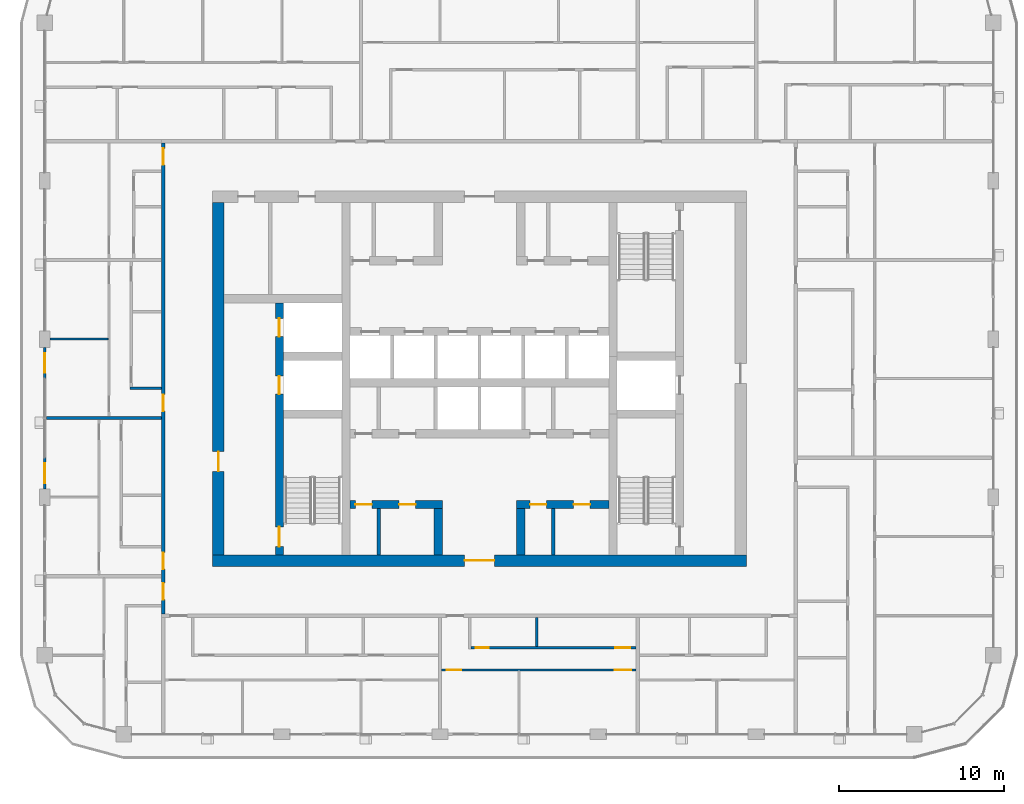
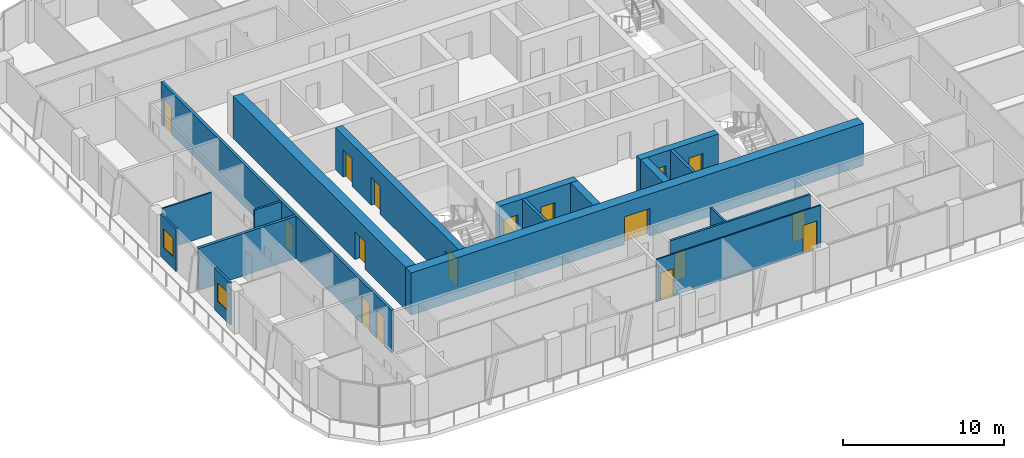
# One storey, part 10 of 23: 18 walls, 17 doors, 2 windows, 19 openings.
"""IFC4 building model written with IfcOpenShell, lengths in metres."""

from ifc_helpers import new_model, si_unit, direction, frame, frame_2d, origin, place, context, subcontext, project, spatial, rectangle, extrude, material, layer, layer_set, type_object, element, fill, save


model = new_model("IFC4")

# Units and contexts
model_context = context("Model", 3, precision=1e-05, world=origin(), true_north=direction((0.0, 1.0)))
body_context = subcontext(model_context, "Body", "Model", "MODEL_VIEW")
ifc_project = project(units=[si_unit("LENGTHUNIT", "METRE"), si_unit("AREAUNIT", "SQUARE_METRE"), si_unit("VOLUMEUNIT", "CUBIC_METRE"), si_unit("PLANEANGLEUNIT", "RADIAN"), si_unit("MASSUNIT", "GRAM", prefix="KILO")], contexts=[model_context])

# Site, building, storey
site_placement = place(None, origin())
site = spatial("IfcSite", under=ifc_project, at=site_placement, CompositionType="ELEMENT")
building_placement = place(site_placement, origin())
building = spatial("IfcBuilding", under=site, at=building_placement, Name="Madar Terraces", CompositionType="ELEMENT")
storey_placement = place(building_placement, frame((0.0, 0.0, 212.300048828125)))
storey = spatial("IfcBuildingStorey", under=building, at=storey_placement, Name="L55", CompositionType="ELEMENT", Elevation=212.300048828125)

# Wall, openings, doors
ifc_material_1 = material(Name="Concrete C60/75", Category="concrete")
ifc_layer_1 = layer(ifc_material_1, 0.5)
ifc_layer_set_1 = layer_set([ifc_layer_1], Name="Concrete C60/75 (CIW4 RC wall 500)")
wall_type_1 = type_object("IfcWallType", Name="CIW4 RC wall 500", PredefinedType="SHEAR", material=ifc_layer_set_1)
wall_1_placement = place(storey_placement, frame((19.050048828125, 15.699951171875, 0.0), z_axis=(0.0, 0.0, 1.0), x_axis=(0.0, 1.0, 0.0)))
wall_1 = element("IfcWall", 1, at=wall_1_placement, inside=storey, type_object=wall_type_1, Name="CORE SHAFT WALL", PredefinedType="SHEAR", context=body_context, shape_type="SweptSolid", body=[
    extrude(rectangle(XDim=15.300048828125, YDim=0.5, at=frame_2d((7.64990234375, 0.0))), origin(), (0.0, 0.0, 1.0), 3.199951171875),
])
opening_1_placement = place(wall_1_placement, frame((9.75, 0.0, 0.0)))
opening_1 = element("IfcOpeningElement", 2, at=opening_1_placement, cuts=wall_1, Name="Opening LD", PredefinedType="OPENING", context=body_context, shape_type="SweptSolid", body=[
    extrude(rectangle(XDim=1.10009765625, YDim=2.10009765625, at=frame_2d((0.550048828125, 1.050048828125))), frame((0.0, 0.260009765625, 0.0), z_axis=(0.0, -1.0, 0.0), x_axis=(1.0, 0.0, 0.0)), (0.0, 0.0, 1.0), 0.52001953125),
])
opening_2_placement = place(wall_1_placement, frame((13.25, 0.0, 0.0)))
opening_2 = element("IfcOpeningElement", 3, at=opening_2_placement, cuts=wall_1, Name="Opening LD", PredefinedType="OPENING", context=body_context, shape_type="SweptSolid", body=[
    extrude(rectangle(XDim=1.10009765625, YDim=2.10009765625, at=frame_2d((0.550048828125, 1.050048828125))), frame((0.0, 0.260009765625, 0.0), z_axis=(0.0, -1.0, 0.0), x_axis=(1.0, 0.0, 0.0)), (0.0, 0.0, 1.0), 0.52001953125),
])
opening_3_placement = place(wall_1_placement, frame((0.5, 0.0, 0.0)))
opening_3 = element("IfcOpeningElement", 4, at=opening_3_placement, cuts=wall_1, Name="Opening SD1", PredefinedType="OPENING", context=body_context, shape_type="SweptSolid", body=[
    extrude(rectangle(XDim=1.199951171875, YDim=2.10009765625, at=frame_2d((0.60009765625, 1.050048828125))), frame((0.0, 0.260009765625, 0.0), z_axis=(0.0, -1.0, 0.0), x_axis=(1.0, 0.0, 0.0)), (0.0, 0.0, 1.0), 0.52001953125),
])
ifc_material_2 = material(Name="Stainless steel panel", Category="steel")
door_type_1 = type_object("IfcDoorType", Name="Lift landing door 1100 x 2100", OperationType="DOUBLE_DOOR_SLIDING", PredefinedType="DOOR", material=ifc_material_2)
door_1_placement = place(opening_1_placement, origin())
door_1 = element("IfcDoor", 5, at=door_1_placement, inside=storey, type_object=door_type_1, Name="LIFT LANDING DOOR", OperationType="DOUBLE_DOOR_SLIDING", OverallHeight=2.10009765625, OverallWidth=1.10009765625, PredefinedType="DOOR", context=body_context, shape_type="SweptSolid", body=[
    extrude(rectangle(XDim=1.10009765625, YDim=2.10009765625, at=frame_2d((0.550048828125, 1.050048828125))), frame((0.0, 0.02490234375, 0.0), z_axis=(0.0, -1.0, 0.0), x_axis=(1.0, 0.0, 0.0)), (0.0, 0.0, 1.0), 0.050048828125),
])
fill(opening_1, door_1)
door_2_placement = place(opening_2_placement, origin())
door_2 = element("IfcDoor", 6, at=door_2_placement, inside=storey, type_object=door_type_1, Name="LIFT LANDING DOOR", OperationType="DOUBLE_DOOR_SLIDING", OverallHeight=2.10009765625, OverallWidth=1.10009765625, PredefinedType="DOOR", context=body_context, shape_type="SweptSolid", body=[
    extrude(rectangle(XDim=1.10009765625, YDim=2.10009765625, at=frame_2d((0.550048828125, 1.050048828125))), frame((0.0, 0.02490234375, 0.0), z_axis=(0.0, -1.0, 0.0), x_axis=(1.0, 0.0, 0.0)), (0.0, 0.0, 1.0), 0.050048828125),
])
fill(opening_2, door_2)
ifc_material_3 = material(Name="Steel door leaf", Category="steel")
door_type_2 = type_object("IfcDoorType", Name="Stair door 1200 x 2100", OperationType="NOTDEFINED", PredefinedType="DOOR", material=ifc_material_3)
door_3_placement = place(opening_3_placement, frame((1.199951171875, 0.0, 0.0), z_axis=(0.0, 0.0, 1.0), x_axis=(-1.0, 0.0, 0.0)))
door_3 = element("IfcDoor", 7, at=door_3_placement, inside=storey, type_object=door_type_2, Name="STAIR DOOR", OperationType="SINGLE_SWING_LEFT", OverallHeight=2.10009765625, OverallWidth=1.199951171875, PredefinedType="DOOR", context=body_context, shape_type="SweptSolid", body=[
    extrude(rectangle(XDim=1.199951171875, YDim=2.10009765625, at=frame_2d((0.60009765625, 1.050048828125))), frame((0.0, 0.02490234375, 0.0), z_axis=(0.0, -1.0, 0.0), x_axis=(1.0, 0.0, 0.0)), (0.0, 0.0, 1.0), 0.050048828125),
])
fill(opening_3, door_3)

wall_2_placement = place(storey_placement, frame((23.35009765625, 18.75, 0.0), z_axis=(0.0, 0.0, 1.0), x_axis=(1.0, 0.0, 0.0)))
wall_2 = element("IfcWall", 8, at=wall_2_placement, inside=storey, type_object=wall_type_1, Name="CORE SHAFT WALL", PredefinedType="SHEAR", context=body_context, shape_type="SweptSolid", body=[
    extrude(rectangle(XDim=5.599853515625, YDim=0.5, at=frame_2d((2.7998046875, 0.0))), origin(), (0.0, 0.0, 1.0), 3.199951171875),
])
opening_4_placement = place(wall_2_placement, frame((0.31689453125, 0.0, 0.0)))
opening_4 = element("IfcOpeningElement", 9, at=opening_4_placement, cuts=wall_2, Name="Opening KD2", PredefinedType="OPENING", context=body_context, shape_type="SweptSolid", body=[
    extrude(rectangle(XDim=1.0, YDim=2.10009765625, at=frame_2d((0.5, 1.050048828125))), frame((0.0, 0.260009765625, 0.0), z_axis=(0.0, -1.0, 0.0), x_axis=(1.0, 0.0, 0.0)), (0.0, 0.0, 1.0), 0.52001953125),
])
opening_5_placement = place(wall_2_placement, frame((2.967041015625, 0.0, 0.0)))
opening_5 = element("IfcOpeningElement", 10, at=opening_5_placement, cuts=wall_2, Name="Opening KD2", PredefinedType="OPENING", context=body_context, shape_type="SweptSolid", body=[
    extrude(rectangle(XDim=1.0, YDim=2.10009765625, at=frame_2d((0.5, 1.050048828125))), frame((0.0, 0.260009765625, 0.0), z_axis=(0.0, -1.0, 0.0), x_axis=(1.0, 0.0, 0.0)), (0.0, 0.0, 1.0), 0.52001953125),
])
ifc_material_4 = material(Name="Steel door leaf", Category="steel")
door_type_3 = type_object("IfcDoorType", Name="Service room door 1000 x 2100", OperationType="NOTDEFINED", PredefinedType="DOOR", material=ifc_material_4)
door_4_placement = place(opening_4_placement, origin())
door_4 = element("IfcDoor", 11, at=door_4_placement, inside=storey, type_object=door_type_3, Name="SERVICE ROOM DOOR", OperationType="SINGLE_SWING_RIGHT", OverallHeight=2.10009765625, OverallWidth=1.0, PredefinedType="DOOR", context=body_context, shape_type="SweptSolid", body=[
    extrude(rectangle(XDim=1.0, YDim=2.10009765625, at=frame_2d((0.5, 1.050048828125))), frame((0.0, 0.02490234375, 0.0), z_axis=(0.0, -1.0, 0.0), x_axis=(1.0, 0.0, 0.0)), (0.0, 0.0, 1.0), 0.050048828125),
])
fill(opening_4, door_4)
door_5_placement = place(opening_5_placement, origin())
door_5 = element("IfcDoor", 12, at=door_5_placement, inside=storey, type_object=door_type_3, Name="SERVICE ROOM DOOR", OperationType="SINGLE_SWING_LEFT", OverallHeight=2.10009765625, OverallWidth=1.0, PredefinedType="DOOR", context=body_context, shape_type="SweptSolid", body=[
    extrude(rectangle(XDim=1.0, YDim=2.10009765625, at=frame_2d((0.5, 1.050048828125))), frame((0.0, 0.02490234375, 0.0), z_axis=(0.0, -1.0, 0.0), x_axis=(1.0, 0.0, 0.0)), (0.0, 0.0, 1.0), 0.050048828125),
])
fill(opening_5, door_5)

wall_3_placement = place(storey_placement, frame((33.449951171875, 18.75, 0.0), z_axis=(0.0, 0.0, 1.0), x_axis=(1.0, 0.0, 0.0)))
wall_3 = element("IfcWall", 13, at=wall_3_placement, inside=storey, type_object=wall_type_1, Name="CORE SHAFT WALL", PredefinedType="SHEAR", context=body_context, shape_type="SweptSolid", body=[
    extrude(rectangle(XDim=5.60009765625, YDim=0.5, at=frame_2d((2.800048828125, 0.0))), origin(), (0.0, 0.0, 1.0), 3.199951171875),
])
opening_6_placement = place(wall_3_placement, frame((0.81689453125, 0.0, 0.0)))
opening_6 = element("IfcOpeningElement", 14, at=opening_6_placement, cuts=wall_3, Name="Opening KD2", PredefinedType="OPENING", context=body_context, shape_type="SweptSolid", body=[
    extrude(rectangle(XDim=1.0, YDim=2.10009765625, at=frame_2d((0.5, 1.050048828125))), frame((0.0, 0.260009765625, 0.0), z_axis=(0.0, -1.0, 0.0), x_axis=(1.0, 0.0, 0.0)), (0.0, 0.0, 1.0), 0.52001953125),
])
opening_7_placement = place(wall_3_placement, frame((3.467041015625, 0.0, 0.0)))
opening_7 = element("IfcOpeningElement", 15, at=opening_7_placement, cuts=wall_3, Name="Opening KD2", PredefinedType="OPENING", context=body_context, shape_type="SweptSolid", body=[
    extrude(rectangle(XDim=1.0, YDim=2.10009765625, at=frame_2d((0.5, 1.050048828125))), frame((0.0, 0.260009765625, 0.0), z_axis=(0.0, -1.0, 0.0), x_axis=(1.0, 0.0, 0.0)), (0.0, 0.0, 1.0), 0.52001953125),
])
door_6_placement = place(opening_6_placement, origin())
door_6 = element("IfcDoor", 16, at=door_6_placement, inside=storey, type_object=door_type_3, Name="SERVICE ROOM DOOR", OperationType="SINGLE_SWING_RIGHT", OverallHeight=2.10009765625, OverallWidth=1.0, PredefinedType="DOOR", context=body_context, shape_type="SweptSolid", body=[
    extrude(rectangle(XDim=1.0, YDim=2.10009765625, at=frame_2d((0.5, 1.050048828125))), frame((0.0, 0.02490234375, 0.0), z_axis=(0.0, -1.0, 0.0), x_axis=(1.0, 0.0, 0.0)), (0.0, 0.0, 1.0), 0.050048828125),
])
fill(opening_6, door_6)
door_7_placement = place(opening_7_placement, origin())
door_7 = element("IfcDoor", 17, at=door_7_placement, inside=storey, type_object=door_type_3, Name="SERVICE ROOM DOOR", OperationType="SINGLE_SWING_LEFT", OverallHeight=2.10009765625, OverallWidth=1.0, PredefinedType="DOOR", context=body_context, shape_type="SweptSolid", body=[
    extrude(rectangle(XDim=1.0, YDim=2.10009765625, at=frame_2d((0.5, 1.050048828125))), frame((0.0, 0.02490234375, 0.0), z_axis=(0.0, -1.0, 0.0), x_axis=(1.0, 0.0, 0.0)), (0.0, 0.0, 1.0), 0.050048828125),
])
fill(opening_7, door_7)

# Walls
for number, where, z_axis, x_axis, name in (
    (18, (28.699951171875, 15.699951171875, 0.0), (0.0, 0.0, 1.0), (0.0, 1.0, 0.0), "CORE SHAFT WALL"),
    (19, (33.699951171875, 15.699951171875, 0.0), (0.0, 0.0, 1.0), (0.0, 1.0, 0.0), "CORE SHAFT WALL"),
):
    element("IfcWall", number, at=place(storey_placement, frame(where, z_axis=z_axis, x_axis=x_axis)), inside=storey, type_object=wall_type_1, Name=name, PredefinedType="SHEAR", context=body_context, shape_type="SweptSolid", body=[
        extrude(rectangle(XDim=2.800048828125, YDim=0.5, at=frame_2d((1.39990234375, 0.0))), origin(), (0.0, 0.0, 1.0), 3.199951171875),
    ])

# Wall, opening, door
ifc_material_5 = material(Name="Concrete C60/75", Category="concrete")
ifc_layer_2 = layer(ifc_material_5, 0.699951171875)
ifc_layer_set_2 = layer_set([ifc_layer_2], Name="Concrete C60/75 (CRW4 RC wall 700)")
wall_type_2 = type_object("IfcWallType", Name="CRW4 RC wall 700", PredefinedType="SHEAR", material=ifc_layer_set_2)
wall_4_placement = place(storey_placement, frame((15.0, 15.35009765625, 0.0), z_axis=(0.0, 0.0, 1.0), x_axis=(1.0, 0.0, 0.0)))
wall_4 = element("IfcWall", 20, at=wall_4_placement, inside=storey, type_object=wall_type_2, Name="CORE OUTER WALL", PredefinedType="SHEAR", context=body_context, shape_type="SweptSolid", body=[
    extrude(rectangle(XDim=32.39990234375, YDim=0.699951171875, at=frame_2d((16.199951171875, 0.0))), origin(), (0.0, 0.0, 1.0), 3.199951171875),
])
opening_8_placement = place(wall_4_placement, frame((15.300048828125, 0.0, 0.0)))
opening_8 = element("IfcOpeningElement", 21, at=opening_8_placement, cuts=wall_4, Name="Opening KD1", PredefinedType="OPENING", context=body_context, shape_type="SweptSolid", body=[
    extrude(rectangle(XDim=1.800048828125, YDim=2.10009765625, at=frame_2d((0.89990234375, 1.050048828125))), frame((0.0, 0.35986328125, 0.0), z_axis=(0.0, -1.0, 0.0), x_axis=(1.0, 0.0, 0.0)), (0.0, 0.0, 1.0), 0.719970703125),
])
ifc_material_6 = material(Name="Steel door leaf", Category="steel")
door_type_4 = type_object("IfcDoorType", Name="Lobby door pair 1800 x 2100", OperationType="DOUBLE_DOOR_SINGLE_SWING", PredefinedType="DOOR", material=ifc_material_6)
door_8_placement = place(opening_8_placement, frame((1.800048828125, 0.0, 0.0), z_axis=(0.0, 0.0, 1.0), x_axis=(-1.0, 0.0, 0.0)))
door_8 = element("IfcDoor", 22, at=door_8_placement, inside=storey, type_object=door_type_4, Name="LIFT LOBBY DOOR", OperationType="DOUBLE_DOOR_SINGLE_SWING", OverallHeight=2.10009765625, OverallWidth=1.800048828125, PredefinedType="DOOR", context=body_context, shape_type="SweptSolid", body=[
    extrude(rectangle(XDim=1.800048828125, YDim=2.10009765625, at=frame_2d((0.89990234375, 1.050048828125))), frame((0.0, 0.02490234375, 0.0), z_axis=(0.0, -1.0, 0.0), x_axis=(1.0, 0.0, 0.0)), (0.0, 0.0, 1.0), 0.050048828125),
])
fill(opening_8, door_8)

wall_5_placement = place(storey_placement, frame((15.35009765625, 15.699951171875, 0.0), z_axis=(0.0, 0.0, 1.0), x_axis=(0.0, 1.0, 0.0)))
wall_5 = element("IfcWall", 23, at=wall_5_placement, inside=storey, type_object=wall_type_2, Name="CORE OUTER WALL", PredefinedType="SHEAR", context=body_context, shape_type="SweptSolid", body=[
    extrude(rectangle(XDim=21.400146484375, YDim=0.699951171875, at=frame_2d((10.7001953125, 0.0))), origin(), (0.0, 0.0, 1.0), 3.199951171875),
])
opening_9_placement = place(wall_5_placement, frame((5.06005859375, 0.0, 0.0)))
opening_9 = element("IfcOpeningElement", 24, at=opening_9_placement, cuts=wall_5, Name="Opening SD1", PredefinedType="OPENING", context=body_context, shape_type="SweptSolid", body=[
    extrude(rectangle(XDim=1.199951171875, YDim=2.10009765625, at=frame_2d((0.60009765625, 1.050048828125))), frame((0.0, 0.35986328125, 0.0), z_axis=(0.0, -1.0, 0.0), x_axis=(1.0, 0.0, 0.0)), (0.0, 0.0, 1.0), 0.719970703125),
])
door_9_placement = place(opening_9_placement, frame((1.199951171875, 0.0, 0.0), z_axis=(0.0, 0.0, 1.0), x_axis=(-1.0, 0.0, 0.0)))
door_9 = element("IfcDoor", 25, at=door_9_placement, inside=storey, type_object=door_type_2, Name="STAIR DOOR", OperationType="SINGLE_SWING_RIGHT", OverallHeight=2.10009765625, OverallWidth=1.199951171875, PredefinedType="DOOR", context=body_context, shape_type="SweptSolid", body=[
    extrude(rectangle(XDim=1.199951171875, YDim=2.10009765625, at=frame_2d((0.60009765625, 1.050048828125))), frame((0.0, 0.02490234375, 0.0), z_axis=(0.0, -1.0, 0.0), x_axis=(1.0, 0.0, 0.0)), (0.0, 0.0, 1.0), 0.050048828125),
])
fill(opening_9, door_9)

# Walls
ifc_material_7 = material(Name="Masonry blockwork", Category="masonry")
ifc_layer_3 = layer(ifc_material_7, 0.199951171875)
ifc_layer_set_3 = layer_set([ifc_layer_3], Name="Core partition 200 blockwork")
wall_type_3 = type_object("IfcWallType", Name="Core partition 200 blockwork", PredefinedType="PARTITIONING", material=ifc_layer_set_3)
for number, where, z_axis, x_axis, name in (
    (26, (25.083984375, 15.699951171875, 0.0), (0.0, 0.0, 1.0), (0.0, 1.0, 0.0), "SERVICE ROOM PARTITION"),
    (27, (35.68408203125, 15.699951171875, 0.0), (0.0, 0.0, 1.0), (0.0, 1.0, 0.0), "SERVICE ROOM PARTITION"),
):
    element("IfcWall", number, at=place(storey_placement, frame(where, z_axis=z_axis, x_axis=x_axis)), inside=storey, type_object=wall_type_3, Name=name, PredefinedType="PARTITIONING", context=body_context, shape_type="SweptSolid", body=[
        extrude(rectangle(XDim=2.800048828125, YDim=0.199951171875, at=frame_2d((1.39990234375, 0.0))), origin(), (0.0, 0.0, 1.0), 3.199951171875),
    ])

# Wall, opening, window
ifc_material_8 = material(Name="Aluminium composite panel, black, over insulated backing", Category="aluminium")
ifc_layer_4 = layer(ifc_material_8, 0.14990234375)
ifc_layer_set_4 = layer_set([ifc_layer_4], Name="Facade bay panel 150")
wall_type_4 = type_object("IfcWallType", Name="Facade bay panel 150", PredefinedType="SOLIDWALL", material=ifc_layer_set_4)
wall_6_placement = place(storey_placement, frame((4.800048828125, 28.300048828125, 0.0), z_axis=(0.0, 0.0, 1.0), x_axis=(0.0, -1.0, 0.0)))
wall_6 = element("IfcWall", 28, at=wall_6_placement, inside=storey, type_object=wall_type_4, Name="Facade bay panel", PredefinedType="SOLIDWALL", context=body_context, shape_type="SweptSolid", body=[
    extrude(rectangle(XDim=1.900146484375, YDim=0.14990234375, at=frame_2d((0.9501953125, 0.0))), origin(), (0.0, 0.0, 1.0), 3.199951171875),
])
opening_10_placement = place(wall_6_placement, frame((0.35009765625, 0.0, 0.89990234375)))
opening_10 = element("IfcOpeningElement", 29, at=opening_10_placement, cuts=wall_6, Name="Opening W1", PredefinedType="OPENING", context=body_context, shape_type="SweptSolid", body=[
    extrude(rectangle(XDim=1.199951171875, YDim=1.39990234375, at=frame_2d((0.60009765625, 0.699951171875))), frame((0.0, 0.0849609375, 0.0), z_axis=(0.0, -1.0, 0.0), x_axis=(1.0, 0.0, 0.0)), (0.0, 0.0, 1.0), 0.169921875),
])
ifc_material_9 = material(Name="Glass, clear, with black aluminium frame", Category="aluminium")
window_type = type_object("IfcWindowType", Name="Vent window 1200 x 1400", PartitioningType="SINGLE_PANEL", PredefinedType="WINDOW", material=ifc_material_9)
window_1_placement = place(opening_10_placement, origin())
window_1 = element("IfcWindow", 30, at=window_1_placement, inside=storey, type_object=window_type, Name="Operable vent window", OverallHeight=1.39990234375, OverallWidth=1.199951171875, PartitioningType="SINGLE_PANEL", PredefinedType="WINDOW", context=body_context, shape_type="SweptSolid", body=[
    extrude(rectangle(XDim=1.199951171875, YDim=1.39990234375, at=frame_2d((0.60009765625, 0.699951171875))), frame((0.0, 0.030029296875, 0.0), z_axis=(0.0, -1.0, 0.0), x_axis=(1.0, 0.0, 0.0)), (0.0, 0.0, 1.0), 0.06005859375),
])
fill(opening_10, window_1)

wall_7_placement = place(storey_placement, frame((4.800048828125, 21.60009765625, 0.0), z_axis=(0.0, 0.0, 1.0), x_axis=(0.0, -1.0, 0.0)))
wall_7 = element("IfcWall", 31, at=wall_7_placement, inside=storey, type_object=wall_type_4, Name="Facade bay panel", PredefinedType="SOLIDWALL", context=body_context, shape_type="SweptSolid", body=[
    extrude(rectangle(XDim=1.900146484375, YDim=0.14990234375, at=frame_2d((0.9501953125, 0.0))), origin(), (0.0, 0.0, 1.0), 3.199951171875),
])
opening_11_placement = place(wall_7_placement, frame((0.35009765625, 0.0, 0.89990234375)))
opening_11 = element("IfcOpeningElement", 32, at=opening_11_placement, cuts=wall_7, Name="Opening W1", PredefinedType="OPENING", context=body_context, shape_type="SweptSolid", body=[
    extrude(rectangle(XDim=1.199951171875, YDim=1.39990234375, at=frame_2d((0.60009765625, 0.699951171875))), frame((0.0, 0.0849609375, 0.0), z_axis=(0.0, -1.0, 0.0), x_axis=(1.0, 0.0, 0.0)), (0.0, 0.0, 1.0), 0.169921875),
])
window_2_placement = place(opening_11_placement, origin())
window_2 = element("IfcWindow", 33, at=window_2_placement, inside=storey, type_object=window_type, Name="Operable vent window", OverallHeight=1.39990234375, OverallWidth=1.199951171875, PartitioningType="SINGLE_PANEL", PredefinedType="WINDOW", context=body_context, shape_type="SweptSolid", body=[
    extrude(rectangle(XDim=1.199951171875, YDim=1.39990234375, at=frame_2d((0.60009765625, 0.699951171875))), frame((0.0, 0.030029296875, 0.0), z_axis=(0.0, -1.0, 0.0), x_axis=(1.0, 0.0, 0.0)), (0.0, 0.0, 1.0), 0.06005859375),
])
fill(opening_11, window_2)

# Wall, openings, doors
ifc_material_10 = material(Name="Gypsum board on steel studs", Category="steel")
ifc_layer_5 = layer(ifc_material_10, 0.10009765625)
ifc_layer_set_5 = layer_set([ifc_layer_5], Name="Flat partition 100")
wall_type_5 = type_object("IfcWallType", Name="Flat partition 100", PredefinedType="PARTITIONING", material=ifc_layer_set_5)
wall_8_placement = place(storey_placement, frame((40.699951171875, 8.699951171875, 0.0), z_axis=(0.0, 0.0, 1.0), x_axis=(-1.0, 0.0, 0.0)))
wall_8 = element("IfcWall", 34, at=wall_8_placement, inside=storey, type_object=wall_type_5, Name="Flat partition 100", PredefinedType="PARTITIONING", context=body_context, shape_type="SweptSolid", body=[
    extrude(rectangle(XDim=11.800048828125, YDim=0.10009765625, at=frame_2d((5.89990234375, 0.0))), origin(), (0.0, 0.0, 1.0), 3.199951171875),
])
opening_12_placement = place(wall_8_placement, frame((10.60009765625, 0.0, 0.0)))
opening_12 = element("IfcOpeningElement", 35, at=opening_12_placement, cuts=wall_8, Name="Opening D2", PredefinedType="OPENING", context=body_context, shape_type="SweptSolid", body=[
    extrude(rectangle(XDim=0.89990234375, YDim=2.10009765625, at=frame_2d((0.449951171875, 1.050048828125))), frame((0.0, 0.06005859375, 0.0), z_axis=(0.0, -1.0, 0.0), x_axis=(1.0, 0.0, 0.0)), (0.0, 0.0, 1.0), 0.1201171875),
])
opening_13_placement = place(wall_8_placement, frame((0.300048828125, 0.0, 0.0)))
opening_13 = element("IfcOpeningElement", 36, at=opening_13_placement, cuts=wall_8, Name="Opening D3", PredefinedType="OPENING", context=body_context, shape_type="SweptSolid", body=[
    extrude(rectangle(XDim=1.0, YDim=2.10009765625, at=frame_2d((0.5, 1.050048828125))), frame((0.0, 0.06005859375, 0.0), z_axis=(0.0, -1.0, 0.0), x_axis=(1.0, 0.0, 0.0)), (0.0, 0.0, 1.0), 0.1201171875),
])
ifc_material_11 = material(Name="Timber door leaf", Category="wood")
door_type_5 = type_object("IfcDoorType", Name="Flat living room door 1000", OperationType="NOTDEFINED", PredefinedType="DOOR", material=ifc_material_11)
door_10_placement = place(opening_13_placement, origin())
door_10 = element("IfcDoor", 37, at=door_10_placement, inside=storey, type_object=door_type_5, Name="Flat living room door 1000", OperationType="SINGLE_SWING_LEFT", OverallHeight=2.10009765625, OverallWidth=1.0, PredefinedType="DOOR", context=body_context, shape_type="SweptSolid", body=[
    extrude(rectangle(XDim=1.0, YDim=2.10009765625, at=frame_2d((0.5, 1.050048828125))), frame((0.0, 0.02490234375, 0.0), z_axis=(0.0, -1.0, 0.0), x_axis=(1.0, 0.0, 0.0)), (0.0, 0.0, 1.0), 0.050048828125),
])
fill(opening_13, door_10)
ifc_material_12 = material(Name="Timber door leaf", Category="wood")
door_type_6 = type_object("IfcDoorType", Name="Flat room door 900", OperationType="NOTDEFINED", PredefinedType="DOOR", material=ifc_material_12)
door_11_placement = place(opening_12_placement, origin())
door_11 = element("IfcDoor", 38, at=door_11_placement, inside=storey, type_object=door_type_6, Name="Flat room door 900", OperationType="SINGLE_SWING_RIGHT", OverallHeight=2.10009765625, OverallWidth=0.89990234375, PredefinedType="DOOR", context=body_context, shape_type="SweptSolid", body=[
    extrude(rectangle(XDim=0.89990234375, YDim=2.10009765625, at=frame_2d((0.449951171875, 1.050048828125))), frame((0.0, 0.02490234375, 0.0), z_axis=(0.0, -1.0, 0.0), x_axis=(1.0, 0.0, 0.0)), (0.0, 0.0, 1.0), 0.050048828125),
])
fill(opening_12, door_11)

# Wall
wall_9_placement = place(storey_placement, frame((8.64990234375, 28.800048828125, 0.0), z_axis=(0.0, 0.0, 1.0), x_axis=(-1.0, 0.0, 0.0)))
element("IfcWall", 39, at=wall_9_placement, inside=storey, type_object=wall_type_5, Name="Flat partition 100", PredefinedType="PARTITIONING", context=body_context, shape_type="SweptSolid", body=[
    extrude(rectangle(XDim=3.52490234375, YDim=0.10009765625, at=frame_2d((1.762451171875, 0.0))), origin(), (0.0, 0.0, 1.0), 3.199951171875),
])

# Wall, openings, doors
ifc_material_13 = material(Name="Lightweight blockwork", Category="masonry")
ifc_layer_6 = layer(ifc_material_13, 0.199951171875)
ifc_layer_set_6 = layer_set([ifc_layer_6], Name="Flat party and entrance wall 200")
wall_type_6 = type_object("IfcWallType", Name="Flat party and entrance wall 200", PredefinedType="PARTITIONING", material=ifc_layer_set_6)
wall_10_placement = place(storey_placement, frame((12.0, 12.10009765625, 0.0), z_axis=(0.0, 0.0, 1.0), x_axis=(0.0, 1.0, 0.0)))
wall_10 = element("IfcWall", 40, at=wall_10_placement, inside=storey, type_object=wall_type_6, Name="Flat party and entrance wall 200", PredefinedType="PARTITIONING", context=body_context, shape_type="SweptSolid", body=[
    extrude(rectangle(XDim=28.599853515625, YDim=0.199951171875, at=frame_2d((14.2998046875, 0.0))), origin(), (0.0, 0.0, 1.0), 3.199951171875),
])
opening_14_placement = place(wall_10_placement, frame((27.27490234375, 0.0, 0.0)))
opening_14 = element("IfcOpeningElement", 41, at=opening_14_placement, cuts=wall_10, Name="Opening D1", PredefinedType="OPENING", context=body_context, shape_type="SweptSolid", body=[
    extrude(rectangle(XDim=1.0, YDim=2.10009765625, at=frame_2d((0.5, 1.050048828125))), frame((0.0, 0.10986328125, 0.0), z_axis=(0.0, -1.0, 0.0), x_axis=(1.0, 0.0, 0.0)), (0.0, 0.0, 1.0), 0.219970703125),
])
opening_15_placement = place(wall_10_placement, frame((12.324951171875, 0.0, 0.0)))
opening_15 = element("IfcOpeningElement", 42, at=opening_15_placement, cuts=wall_10, Name="Opening D1", PredefinedType="OPENING", context=body_context, shape_type="SweptSolid", body=[
    extrude(rectangle(XDim=1.0, YDim=2.10009765625, at=frame_2d((0.5, 1.050048828125))), frame((0.0, 0.10986328125, 0.0), z_axis=(0.0, -1.0, 0.0), x_axis=(1.0, 0.0, 0.0)), (0.0, 0.0, 1.0), 0.219970703125),
])
opening_16_placement = place(wall_10_placement, frame((2.72509765625, 0.0, 0.0)))
opening_16 = element("IfcOpeningElement", 43, at=opening_16_placement, cuts=wall_10, Name="Opening D1", PredefinedType="OPENING", context=body_context, shape_type="SweptSolid", body=[
    extrude(rectangle(XDim=1.0, YDim=2.10009765625, at=frame_2d((0.5, 1.050048828125))), frame((0.0, 0.10986328125, 0.0), z_axis=(0.0, -1.0, 0.0), x_axis=(1.0, 0.0, 0.0)), (0.0, 0.0, 1.0), 0.219970703125),
])
opening_17_placement = place(wall_10_placement, frame((0.875, 0.0, 0.0)))
opening_17 = element("IfcOpeningElement", 44, at=opening_17_placement, cuts=wall_10, Name="Opening D1", PredefinedType="OPENING", context=body_context, shape_type="SweptSolid", body=[
    extrude(rectangle(XDim=1.0, YDim=2.10009765625, at=frame_2d((0.5, 1.050048828125))), frame((0.0, 0.10986328125, 0.0), z_axis=(0.0, -1.0, 0.0), x_axis=(1.0, 0.0, 0.0)), (0.0, 0.0, 1.0), 0.219970703125),
])
ifc_material_14 = material(Name="Timber fire door leaf", Category="wood")
door_type_7 = type_object("IfcDoorType", Name="Flat entrance door 1000 FD30S", OperationType="NOTDEFINED", PredefinedType="DOOR", material=ifc_material_14)
door_12_placement = place(opening_14_placement, origin())
door_12 = element("IfcDoor", 45, at=door_12_placement, inside=storey, type_object=door_type_7, Name="Flat entrance door 1000 FD30S", OperationType="SINGLE_SWING_RIGHT", OverallHeight=2.10009765625, OverallWidth=1.0, PredefinedType="DOOR", context=body_context, shape_type="SweptSolid", body=[
    extrude(rectangle(XDim=1.0, YDim=2.10009765625, at=frame_2d((0.5, 1.050048828125))), frame((0.0, 0.02490234375, 0.0), z_axis=(0.0, -1.0, 0.0), x_axis=(1.0, 0.0, 0.0)), (0.0, 0.0, 1.0), 0.050048828125),
])
fill(opening_14, door_12)
door_13_placement = place(opening_15_placement, origin())
door_13 = element("IfcDoor", 46, at=door_13_placement, inside=storey, type_object=door_type_7, Name="Flat entrance door 1000 FD30S", OperationType="SINGLE_SWING_LEFT", OverallHeight=2.10009765625, OverallWidth=1.0, PredefinedType="DOOR", context=body_context, shape_type="SweptSolid", body=[
    extrude(rectangle(XDim=1.0, YDim=2.10009765625, at=frame_2d((0.5, 1.050048828125))), frame((0.0, 0.02490234375, 0.0), z_axis=(0.0, -1.0, 0.0), x_axis=(1.0, 0.0, 0.0)), (0.0, 0.0, 1.0), 0.050048828125),
])
fill(opening_15, door_13)
door_14_placement = place(opening_16_placement, origin())
door_14 = element("IfcDoor", 47, at=door_14_placement, inside=storey, type_object=door_type_7, Name="Flat entrance door 1000 FD30S", OperationType="SINGLE_SWING_LEFT", OverallHeight=2.10009765625, OverallWidth=1.0, PredefinedType="DOOR", context=body_context, shape_type="SweptSolid", body=[
    extrude(rectangle(XDim=1.0, YDim=2.10009765625, at=frame_2d((0.5, 1.050048828125))), frame((0.0, 0.02490234375, 0.0), z_axis=(0.0, -1.0, 0.0), x_axis=(1.0, 0.0, 0.0)), (0.0, 0.0, 1.0), 0.050048828125),
])
fill(opening_16, door_14)
door_15_placement = place(opening_17_placement, origin())
door_15 = element("IfcDoor", 48, at=door_15_placement, inside=storey, type_object=door_type_7, Name="Flat entrance door 1000 FD30S", OperationType="SINGLE_SWING_RIGHT", OverallHeight=2.10009765625, OverallWidth=1.0, PredefinedType="DOOR", context=body_context, shape_type="SweptSolid", body=[
    extrude(rectangle(XDim=1.0, YDim=2.10009765625, at=frame_2d((0.5, 1.050048828125))), frame((0.0, 0.02490234375, 0.0), z_axis=(0.0, -1.0, 0.0), x_axis=(1.0, 0.0, 0.0)), (0.0, 0.0, 1.0), 0.050048828125),
])
fill(opening_17, door_15)

# Walls
wall_11_placement = place(storey_placement, frame((4.89990234375, 24.0, 0.0), z_axis=(0.0, 0.0, 1.0), x_axis=(1.0, 0.0, 0.0)))
element("IfcWall", 49, at=wall_11_placement, inside=storey, type_object=wall_type_6, Name="Flat party and entrance wall 200", PredefinedType="PARTITIONING", context=body_context, shape_type="SweptSolid", body=[
    extrude(rectangle(XDim=7.0, YDim=0.199951171875, at=frame_2d((3.5, 0.0))), origin(), (0.0, 0.0, 1.0), 3.199951171875),
])
ifc_material_15 = material(Name="Lightweight blockwork", Category="masonry")
ifc_layer_7 = layer(ifc_material_15, 0.14990234375)
ifc_layer_set_7 = layer_set([ifc_layer_7], Name="Flat wet-room partition 150")
wall_type_7 = type_object("IfcWallType", Name="Flat wet-room partition 150", PredefinedType="PARTITIONING", material=ifc_layer_set_7)
wall_12_placement = place(storey_placement, frame((34.68505859375, 11.89990234375, 0.0), z_axis=(0.0, 0.0, 1.0), x_axis=(0.0, -1.0, 0.0)))
element("IfcWall", 50, at=wall_12_placement, inside=storey, type_object=wall_type_7, Name="Flat wet-room partition 150", PredefinedType="PARTITIONING", context=body_context, shape_type="SweptSolid", body=[
    extrude(rectangle(XDim=1.77490234375, YDim=0.14990234375, at=frame_2d((0.887451171875, 0.0))), origin(), (0.0, 0.0, 1.0), 3.199951171875),
])

# Wall, openings, doors
wall_13_placement = place(storey_placement, frame((30.675048828125, 10.050048828125, 0.0), z_axis=(0.0, 0.0, 1.0), x_axis=(1.0, 0.0, 0.0)))
wall_13 = element("IfcWall", 51, at=wall_13_placement, inside=storey, type_object=wall_type_7, Name="Flat wet-room partition 150", PredefinedType="PARTITIONING", context=body_context, shape_type="SweptSolid", body=[
    extrude(rectangle(XDim=10.02490234375, YDim=0.14990234375, at=frame_2d((5.012451171875, 0.0))), origin(), (0.0, 0.0, 1.0), 3.199951171875),
])
opening_18_placement = place(wall_13_placement, frame((0.300048828125, 0.0, 0.0)))
opening_18 = element("IfcOpeningElement", 52, at=opening_18_placement, cuts=wall_13, Name="Opening D4", PredefinedType="OPENING", context=body_context, shape_type="SweptSolid", body=[
    extrude(rectangle(XDim=0.800048828125, YDim=2.10009765625, at=frame_2d((0.39990234375, 1.050048828125))), frame((0.0, 0.0849609375, 0.0), z_axis=(0.0, -1.0, 0.0), x_axis=(1.0, 0.0, 0.0)), (0.0, 0.0, 1.0), 0.169921875),
])
opening_19_placement = place(wall_13_placement, frame((8.77490234375, 0.0, 0.0)))
opening_19 = element("IfcOpeningElement", 53, at=opening_19_placement, cuts=wall_13, Name="Opening D2", PredefinedType="OPENING", context=body_context, shape_type="SweptSolid", body=[
    extrude(rectangle(XDim=0.89990234375, YDim=2.10009765625, at=frame_2d((0.449951171875, 1.050048828125))), frame((0.0, 0.0849609375, 0.0), z_axis=(0.0, -1.0, 0.0), x_axis=(1.0, 0.0, 0.0)), (0.0, 0.0, 1.0), 0.169921875),
])
ifc_material_16 = material(Name="Timber door leaf", Category="wood")
door_type_8 = type_object("IfcDoorType", Name="Flat bathroom door 800", OperationType="NOTDEFINED", PredefinedType="DOOR", material=ifc_material_16)
door_16_placement = place(opening_18_placement, origin())
door_16 = element("IfcDoor", 54, at=door_16_placement, inside=storey, type_object=door_type_8, Name="Flat bathroom door 800", OperationType="SINGLE_SWING_LEFT", OverallHeight=2.10009765625, OverallWidth=0.800048828125, PredefinedType="DOOR", context=body_context, shape_type="SweptSolid", body=[
    extrude(rectangle(XDim=0.800048828125, YDim=2.10009765625, at=frame_2d((0.39990234375, 1.050048828125))), frame((0.0, 0.02490234375, 0.0), z_axis=(0.0, -1.0, 0.0), x_axis=(1.0, 0.0, 0.0)), (0.0, 0.0, 1.0), 0.050048828125),
])
fill(opening_18, door_16)
door_17_placement = place(opening_19_placement, origin())
door_17 = element("IfcDoor", 55, at=door_17_placement, inside=storey, type_object=door_type_6, Name="Flat room door 900", OperationType="SINGLE_SWING_RIGHT", OverallHeight=2.10009765625, OverallWidth=0.89990234375, PredefinedType="DOOR", context=body_context, shape_type="SweptSolid", body=[
    extrude(rectangle(XDim=0.89990234375, YDim=2.10009765625, at=frame_2d((0.449951171875, 1.050048828125))), frame((0.0, 0.02490234375, 0.0), z_axis=(0.0, -1.0, 0.0), x_axis=(1.0, 0.0, 0.0)), (0.0, 0.0, 1.0), 0.050048828125),
])
fill(opening_19, door_17)

# Wall
wall_14_placement = place(storey_placement, frame((11.89990234375, 25.800048828125, 0.0), z_axis=(0.0, 0.0, 1.0), x_axis=(-1.0, 0.0, 0.0)))
element("IfcWall", 56, at=wall_14_placement, inside=storey, type_object=wall_type_7, Name="Flat wet-room partition 150", PredefinedType="PARTITIONING", context=body_context, shape_type="SweptSolid", body=[
    extrude(rectangle(XDim=1.9248046875, YDim=0.14990234375, at=frame_2d((0.96240234375, 0.0))), origin(), (0.0, 0.0, 1.0), 3.199951171875),
])

save(model, "model.ifc")
